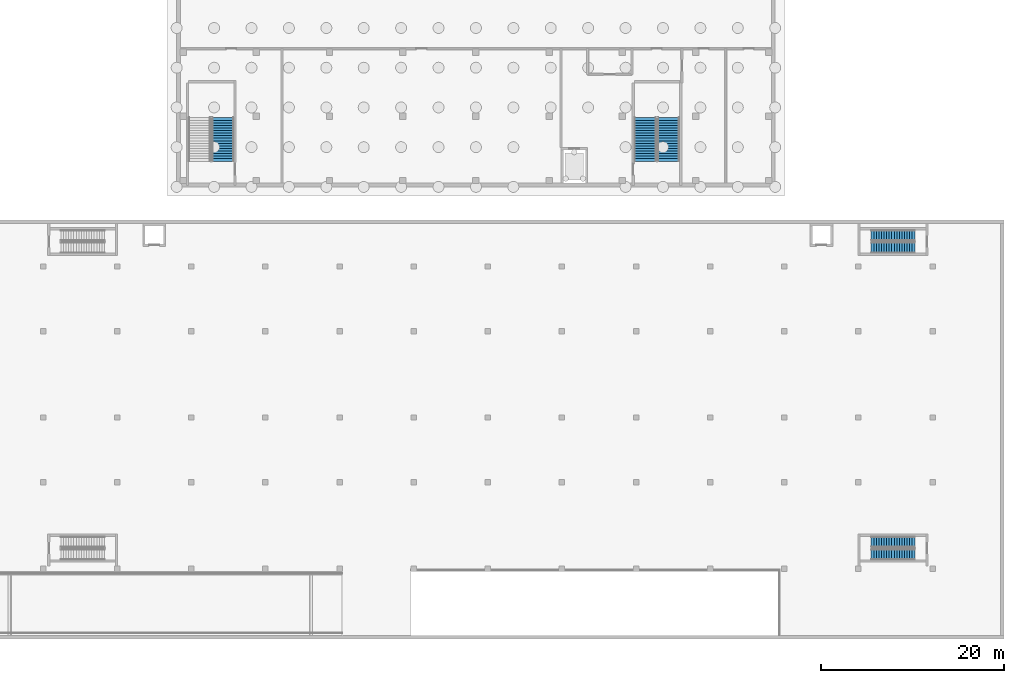
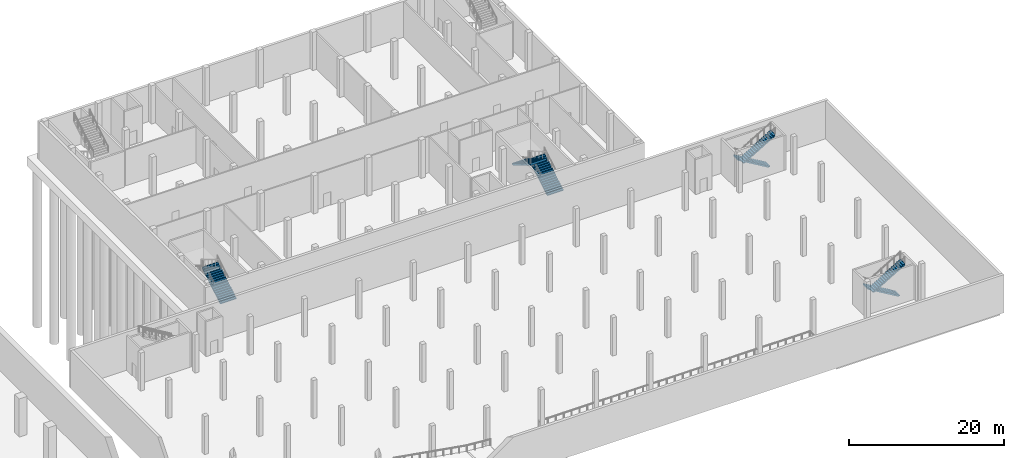
# One storey, part 26 of 45: 7 stair flights, 4 elements without a shape of their own.
"""IFC4 building model written with IfcOpenShell, lengths in metres."""

import ifcopenshell
import ifcopenshell.guid

model = None  # the IFC model being written
_history = None  # IfcOwnerHistory: only IFC2X3 demands one
_inside = {}  # id of a spatial element -> (the spatial element, [elements in it])
_under = {}  # id of a project, library or spatial element -> (it, [spatial elements below it])
_declared = {}  # id of a project -> (the project, [libraries it declares])
_typed = {}  # id of a type object -> (the type object, [elements of that type])
_made_of = {}  # id of a material, layer set ... -> (it, [elements and type objects made of it])


def new_model(schema):
    """Start an empty IFC model of exactly this schema.

    Asked for "IFC4X3", IfcOpenShell would pick the latest addendum, in which some entities
    have other attributes; the version numbers below select the first issue.
    IFC2X3 requires an IfcOwnerHistory on every rooted entity: one is made here for all.
    """
    global model, _history
    if schema == "IFC4X3":
        model = ifcopenshell.file(schema_version=(4, 3, 0, 0))
    else:
        model = ifcopenshell.file(schema=schema)
    _inside.clear()
    _under.clear()
    _declared.clear()
    _typed.clear()
    _made_of.clear()
    _history = None
    if model.schema == "IFC2X3":
        org = make("IfcOrganization", Name="unknown")
        user = make(
            "IfcPersonAndOrganization",
            ThePerson=make("IfcPerson", FamilyName="unknown"),
            TheOrganization=org,
        )
        app = make(
            "IfcApplication",
            ApplicationDeveloper=org,
            Version="unknown",
            ApplicationFullName="unknown",
            ApplicationIdentifier="unknown",
        )
        _history = make(
            "IfcOwnerHistory",
            OwningUser=user,
            OwningApplication=app,
            ChangeAction="ADDED",
            CreationDate=0,
        )
    return model


def make(cls, **values):
    """One entity of the class cls with the attributes given. An attribute that is None is left unset."""
    return model.create_entity(
        cls, **{name: value for name, value in values.items() if value is not None}
    )


def rooted(cls, **values):
    """An entity with a GlobalId (a new one), such as an element, a storey or a relation."""
    return make(cls, GlobalId=ifcopenshell.guid.new(), OwnerHistory=_history, **values)


def si_unit(unit_type, name, prefix=None):
    """IfcSIUnit, for example si_unit("LENGTHUNIT", "METRE", prefix="MILLI")."""
    return make("IfcSIUnit", UnitType=unit_type, Prefix=prefix, Name=name)


def assignment(units):
    """IfcUnitAssignment: the units of a project."""
    return None if units is None else make("IfcUnitAssignment", Units=units)


def point(xyz):
    """IfcCartesianPoint."""
    return None if xyz is None else make("IfcCartesianPoint", Coordinates=xyz)


def direction(xyz):
    """IfcDirection."""
    return None if xyz is None else make("IfcDirection", DirectionRatios=xyz)


def frame(location, z_axis=None, x_axis=None):
    """IfcAxis2Placement3D, a coordinate frame: its origin and axes. An axis left out is left unset."""
    return make(
        "IfcAxis2Placement3D",
        Location=point(location),
        Axis=direction(z_axis),
        RefDirection=direction(x_axis),
    )


def origin():
    """The frame at (0, 0, 0) with its axes left unset."""
    return frame((0.0, 0.0, 0.0))


def place(relative_to, where):
    """IfcLocalPlacement: puts the frame where relative to a parent placement (None: the world)."""
    return make(
        "IfcLocalPlacement", PlacementRelTo=relative_to, RelativePlacement=where
    )


def context(
    kind, dimensions, precision=None, world=None, true_north=None, identifier=None
):
    """IfcGeometricRepresentationContext, for example the 3D "Model" context."""
    return make(
        "IfcGeometricRepresentationContext",
        ContextIdentifier=identifier,
        ContextType=kind,
        CoordinateSpaceDimension=dimensions,
        Precision=precision,
        WorldCoordinateSystem=world,
        TrueNorth=true_north,
    )


def subcontext(parent, identifier, kind, view, scale=None):
    """IfcGeometricRepresentationSubContext, for example "Body" below "Model"."""
    return make(
        "IfcGeometricRepresentationSubContext",
        ContextIdentifier=identifier,
        ContextType=kind,
        ParentContext=parent,
        TargetScale=scale,
        TargetView=view,
    )


def project(units=None, contexts=None):
    """IfcProject with its units and contexts."""
    return rooted(
        "IfcProject",
        Name="project",
        RepresentationContexts=contexts,
        UnitsInContext=assignment(units),
    )


def spatial(cls, under=None, at=None, **own):
    """A site, building, storey or space (cls), placed at a placement, below another one or the project."""
    s = rooted(cls, ObjectPlacement=at, **own)
    if under is not None:
        _under.setdefault(under.id(), (under, []))[1].append(s)
    return s


def polyline(points):
    """IfcPolyline through the points."""
    return make("IfcPolyline", Points=[point(p) for p in points])


def outline(outer, holes=None, kind="AREA"):
    """IfcArbitraryClosedProfileDef: a profile drawn as a closed curve; with holes, ...WithVoids."""
    if holes is None:
        return make("IfcArbitraryClosedProfileDef", ProfileType=kind, OuterCurve=outer)
    return make(
        "IfcArbitraryProfileDefWithVoids",
        ProfileType=kind,
        OuterCurve=outer,
        InnerCurves=holes,
    )


def extrude(swept, where, along, depth):
    """IfcExtrudedAreaSolid: the profile swept, set in the frame where, extruded along a direction by depth."""
    return make(
        "IfcExtrudedAreaSolid",
        SweptArea=swept,
        Position=where,
        ExtrudedDirection=direction(along),
        Depth=depth,
    )


def shape(context_of_items, identifier, shape_type, items):
    """IfcShapeRepresentation: the items that make up one representation, for example the "Body"."""
    return make(
        "IfcShapeRepresentation",
        ContextOfItems=context_of_items,
        RepresentationIdentifier=identifier,
        RepresentationType=shape_type,
        Items=items,
    )


def material(Name=None, Category=None):
    """IfcMaterial."""
    return make("IfcMaterial", Name=Name, Category=Category)


def made_of(thing, what):
    """Note that an element or type object is made of a material, layer set ...; save() writes the relation."""
    if what is not None:
        _made_of.setdefault(what.id(), (what, []))[1].append(thing)
    return thing


def type_object(cls, material=None, **own):
    """A type object (cls), such as IfcWallType, which elements share."""
    return made_of(rooted(cls, **own), material)


def element(
    cls,
    number,
    at=None,
    inside=None,
    cuts=None,
    type_object=None,
    material=None,
    context=None,
    identifier="Body",
    shape_type=None,
    held_by="IfcProductDefinitionShape",
    body=None,
    shapes=None,
    **own,
):
    """One element of the class cls, such as IfcWall. Its Tag is "e" and its number.

    at: its placement. inside: the storey or other place that contains it. cuts: it is an
    opening in that element (IfcRelVoidsElement). A single representation is given by context,
    identifier, shape_type and body (its items); several are given by shapes. held_by: the class
    of the entity that holds the representations. save() writes the other relations.
    """
    e = rooted(cls, Tag="e%d" % number, ObjectPlacement=at, **own)
    if body is not None:
        shapes = [shape(context, identifier, shape_type, body)]
    if shapes is not None:
        e.Representation = make(held_by, Representations=shapes)
    if inside is not None:
        _inside.setdefault(inside.id(), (inside, []))[1].append(e)
    if cuts is not None:
        rooted(
            "IfcRelVoidsElement", RelatingBuildingElement=cuts, RelatedOpeningElement=e
        )
    if type_object is not None:
        _typed.setdefault(type_object.id(), (type_object, []))[1].append(e)
    return made_of(e, material)


def aggregate(whole, parts):
    """IfcRelAggregates: a whole, such as a stair, and the parts it consists of."""
    return rooted("IfcRelAggregates", RelatingObject=whole, RelatedObjects=parts)


def save(model, path):
    """Write the relations noted so far, then the file.

    IfcRelAggregates (storeys below a building ...), IfcRelContainedInSpatialStructure (elements
    in a storey), IfcRelDefinesByType, IfcRelAssociatesMaterial and IfcRelDeclares: one each for
    every whole, place, type object, material and project.
    """
    for whole, parts in _under.values():
        aggregate(whole, parts)
    for where, things in _inside.values():
        rooted(
            "IfcRelContainedInSpatialStructure",
            RelatedElements=things,
            RelatingStructure=where,
        )
    for kind, things in _typed.values():
        rooted("IfcRelDefinesByType", RelatedObjects=things, RelatingType=kind)
    for what, things in _made_of.values():
        rooted("IfcRelAssociatesMaterial", RelatedObjects=things, RelatingMaterial=what)
    for by, libraries in _declared.values():
        rooted("IfcRelDeclares", RelatingContext=by, RelatedDefinitions=libraries)
    model.write(path)


model = new_model("IFC4")

# Units and contexts
model_context = context("Model", 3, precision=1e-05, world=origin(), true_north=direction((0.0, 1.0)))
body_context = subcontext(model_context, "Body", "Model", "MODEL_VIEW")
ifc_project = project(units=[si_unit("LENGTHUNIT", "METRE"), si_unit("AREAUNIT", "SQUARE_METRE"), si_unit("VOLUMEUNIT", "CUBIC_METRE"), si_unit("PLANEANGLEUNIT", "RADIAN"), si_unit("MASSUNIT", "GRAM", prefix="KILO")], contexts=[model_context])

# Site, building, storey
site_placement = place(None, origin())
site = spatial("IfcSite", under=ifc_project, at=site_placement, CompositionType="ELEMENT")
building_placement = place(site_placement, origin())
building = spatial("IfcBuilding", under=site, at=building_placement, Name="Tamorin Gate", CompositionType="ELEMENT")
storey_placement = place(building_placement, frame((0.0, 0.0, -6.0)))
storey = spatial("IfcBuildingStorey", under=building, at=storey_placement, Name="B1", CompositionType="ELEMENT", Elevation=-6.0)

# Stair, stair flights
ifc_material = material(Name="Concrete C40/50", Category="concrete")
stair_type_1 = type_object("IfcStairType", Name="Exit stair 1200 C40/50", PredefinedType="HALF_TURN_STAIR", material=ifc_material)
stair_1_placement = place(storey_placement, origin())
stair_1 = element("IfcStair", 1, at=stair_1_placement, inside=storey, type_object=stair_type_1, Name="B1 SB8", PredefinedType="HALF_TURN_STAIR")
stair_flight_type_1 = type_object("IfcStairFlightType", Name="Exit stair flight 1200 C40/50", PredefinedType="STRAIGHT", material=ifc_material)
stair_flight_1_placement = place(storey_placement, frame((225.64990234375, 16.199951171875, 0.0), z_axis=(0.0, 0.0, 1.0), x_axis=(-1.0, 0.0, 0.0)))
stair_flight_1 = element("IfcStairFlight", 2, at=stair_flight_1_placement, type_object=stair_flight_type_1, Name="SB8 flight 1", NumberOfRisers=18, NumberOfTreads=17, PredefinedType="STRAIGHT", RiserHeight=0.166666667, TreadLength=0.28, context=body_context, shape_type="SweptSolid", body=[
    extrude(outline(polyline([(-0.00048828125, 0.0), (-0.00048828125, 0.166748046875), (0.280029296875, 0.166748046875), (0.280029296875, 0.333251953125), (0.56005859375, 0.333251953125), (0.56005859375, 0.5), (0.840087890625, 0.5), (0.840087890625, 0.666748046875), (1.1201171875, 0.666748046875), (1.1201171875, 0.833251953125), (1.39990234375, 0.833251953125), (1.39990234375, 1.0), (1.679931640625, 1.0), (1.679931640625, 1.166748046875), (1.9599609375, 1.166748046875), (1.9599609375, 1.333251953125), (2.239990234375, 1.333251953125), (2.239990234375, 1.5), (2.52001953125, 1.5), (2.52001953125, 1.666748046875), (2.800048828125, 1.666748046875), (2.800048828125, 1.833251953125), (3.080078125, 1.833251953125), (3.080078125, 2.0), (3.360107421875, 2.0), (3.360107421875, 2.166748046875), (3.639892578125, 2.166748046875), (3.639892578125, 2.333251953125), (3.919921875, 2.333251953125), (3.919921875, 2.5), (4.199951171875, 2.5), (4.199951171875, 2.666748046875), (4.47998046875, 2.666748046875), (4.47998046875, 2.833251953125), (4.760009765625, 2.833251953125), (4.760009765625, 3.0), (4.760498046875, 3.0), (4.760498046875, 2.658935546875), (4.760009765625, 2.658935546875), (0.29296875, 0.0), (-0.00048828125, 0.0)])), frame((0.0, 0.60009765625, 0.0), z_axis=(0.0, -1.0, 0.0), x_axis=(1.0, 0.0, 0.0)), (0.0, 0.0, 1.0), 1.199951171875),
])
stair_flight_2_placement = place(storey_placement, frame((220.889892578125, 14.85009765625, 3.0), z_axis=(0.0, 0.0, 1.0), x_axis=(1.0, 0.0, 0.0)))
stair_flight_2 = element("IfcStairFlight", 3, at=stair_flight_2_placement, type_object=stair_flight_type_1, Name="SB8 flight 2", NumberOfRisers=18, NumberOfTreads=17, PredefinedType="STRAIGHT", RiserHeight=0.166666667, TreadLength=0.28, context=body_context, shape_type="SweptSolid", body=[
    extrude(outline(polyline([(-0.00048828125, 0.0), (-0.00048828125, 0.166748046875), (0.280029296875, 0.166748046875), (0.280029296875, 0.333251953125), (0.56005859375, 0.333251953125), (0.56005859375, 0.5), (0.840087890625, 0.5), (0.840087890625, 0.666748046875), (1.1201171875, 0.666748046875), (1.1201171875, 0.833251953125), (1.39990234375, 0.833251953125), (1.39990234375, 1.0), (1.679931640625, 1.0), (1.679931640625, 1.166748046875), (1.9599609375, 1.166748046875), (1.9599609375, 1.333251953125), (2.239990234375, 1.333251953125), (2.239990234375, 1.5), (2.52001953125, 1.5), (2.52001953125, 1.666748046875), (2.800048828125, 1.666748046875), (2.800048828125, 1.833251953125), (3.080078125, 1.833251953125), (3.080078125, 2.0), (3.360107421875, 2.0), (3.360107421875, 2.166748046875), (3.639892578125, 2.166748046875), (3.639892578125, 2.333251953125), (3.919921875, 2.333251953125), (3.919921875, 2.5), (4.199951171875, 2.5), (4.199951171875, 2.666748046875), (4.47998046875, 2.666748046875), (4.47998046875, 2.833251953125), (4.760009765625, 2.833251953125), (4.760009765625, 3.0), (4.760498046875, 3.0), (4.760498046875, 2.658935546875), (4.760009765625, 2.658935546875), (0.29296875, 0.0), (-0.00048828125, 0.0)])), frame((0.0, 0.60009765625, 0.0), z_axis=(0.0, -1.0, 0.0), x_axis=(1.0, 0.0, 0.0)), (0.0, 0.0, 1.0), 1.199951171875),
])
aggregate(stair_1, [stair_flight_1, stair_flight_2])

stair_2_placement = place(storey_placement, origin())
stair_2 = element("IfcStair", 4, at=stair_2_placement, inside=storey, type_object=stair_type_1, Name="B1 SB9", PredefinedType="HALF_TURN_STAIR")
stair_flight_3_placement = place(storey_placement, frame((225.64990234375, 49.699951171875, 0.0), z_axis=(0.0, 0.0, 1.0), x_axis=(-1.0, 0.0, 0.0)))
stair_flight_3 = element("IfcStairFlight", 5, at=stair_flight_3_placement, type_object=stair_flight_type_1, Name="SB9 flight 1", NumberOfRisers=18, NumberOfTreads=17, PredefinedType="STRAIGHT", RiserHeight=0.166666667, TreadLength=0.28, context=body_context, shape_type="SweptSolid", body=[
    extrude(outline(polyline([(-0.00048828125, 0.0), (-0.00048828125, 0.166748046875), (0.280029296875, 0.166748046875), (0.280029296875, 0.333251953125), (0.56005859375, 0.333251953125), (0.56005859375, 0.5), (0.840087890625, 0.5), (0.840087890625, 0.666748046875), (1.1201171875, 0.666748046875), (1.1201171875, 0.833251953125), (1.39990234375, 0.833251953125), (1.39990234375, 1.0), (1.679931640625, 1.0), (1.679931640625, 1.166748046875), (1.9599609375, 1.166748046875), (1.9599609375, 1.333251953125), (2.239990234375, 1.333251953125), (2.239990234375, 1.5), (2.52001953125, 1.5), (2.52001953125, 1.666748046875), (2.800048828125, 1.666748046875), (2.800048828125, 1.833251953125), (3.080078125, 1.833251953125), (3.080078125, 2.0), (3.360107421875, 2.0), (3.360107421875, 2.166748046875), (3.639892578125, 2.166748046875), (3.639892578125, 2.333251953125), (3.919921875, 2.333251953125), (3.919921875, 2.5), (4.199951171875, 2.5), (4.199951171875, 2.666748046875), (4.47998046875, 2.666748046875), (4.47998046875, 2.833251953125), (4.760009765625, 2.833251953125), (4.760009765625, 3.0), (4.760498046875, 3.0), (4.760498046875, 2.658935546875), (4.760009765625, 2.658935546875), (0.29296875, 0.0), (-0.00048828125, 0.0)])), frame((0.0, 0.60009765625, 0.0), z_axis=(0.0, -1.0, 0.0), x_axis=(1.0, 0.0, 0.0)), (0.0, 0.0, 1.0), 1.199951171875),
])
stair_flight_4_placement = place(storey_placement, frame((220.889892578125, 48.35009765625, 3.0), z_axis=(0.0, 0.0, 1.0), x_axis=(1.0, 0.0, 0.0)))
stair_flight_4 = element("IfcStairFlight", 6, at=stair_flight_4_placement, type_object=stair_flight_type_1, Name="SB9 flight 2", NumberOfRisers=18, NumberOfTreads=17, PredefinedType="STRAIGHT", RiserHeight=0.166666667, TreadLength=0.28, context=body_context, shape_type="SweptSolid", body=[
    extrude(outline(polyline([(-0.00048828125, 0.0), (-0.00048828125, 0.166748046875), (0.280029296875, 0.166748046875), (0.280029296875, 0.333251953125), (0.56005859375, 0.333251953125), (0.56005859375, 0.5), (0.840087890625, 0.5), (0.840087890625, 0.666748046875), (1.1201171875, 0.666748046875), (1.1201171875, 0.833251953125), (1.39990234375, 0.833251953125), (1.39990234375, 1.0), (1.679931640625, 1.0), (1.679931640625, 1.166748046875), (1.9599609375, 1.166748046875), (1.9599609375, 1.333251953125), (2.239990234375, 1.333251953125), (2.239990234375, 1.5), (2.52001953125, 1.5), (2.52001953125, 1.666748046875), (2.800048828125, 1.666748046875), (2.800048828125, 1.833251953125), (3.080078125, 1.833251953125), (3.080078125, 2.0), (3.360107421875, 2.0), (3.360107421875, 2.166748046875), (3.639892578125, 2.166748046875), (3.639892578125, 2.333251953125), (3.919921875, 2.333251953125), (3.919921875, 2.5), (4.199951171875, 2.5), (4.199951171875, 2.666748046875), (4.47998046875, 2.666748046875), (4.47998046875, 2.833251953125), (4.760009765625, 2.833251953125), (4.760009765625, 3.0), (4.760498046875, 3.0), (4.760498046875, 2.658935546875), (4.760009765625, 2.658935546875), (0.29296875, 0.0), (-0.00048828125, 0.0)])), frame((0.0, 0.60009765625, 0.0), z_axis=(0.0, -1.0, 0.0), x_axis=(1.0, 0.0, 0.0)), (0.0, 0.0, 1.0), 1.199951171875),
])
aggregate(stair_2, [stair_flight_3, stair_flight_4])

stair_type_2 = type_object("IfcStairType", Name="Museum exit stair 2400 C40/50", PredefinedType="HALF_TURN_STAIR", material=ifc_material)
stair_3_placement = place(storey_placement, origin())
stair_3 = element("IfcStair", 7, at=stair_3_placement, inside=storey, type_object=stair_type_2, Name="B1 PS7", PredefinedType="HALF_TURN_STAIR")
stair_flight_type_2 = type_object("IfcStairFlightType", Name="Museum exit stair flight 2400 C40/50", PredefinedType="STRAIGHT", material=ifc_material)
stair_flight_5_placement = place(storey_placement, frame((198.75, 57.800048828125, 0.0), z_axis=(0.0, 0.0, 1.0), x_axis=(0.0, 1.0, 0.0)))
stair_flight_5 = element("IfcStairFlight", 8, at=stair_flight_5_placement, type_object=stair_flight_type_2, Name="PS7 flight 1", NumberOfRisers=18, NumberOfTreads=17, PredefinedType="STRAIGHT", RiserHeight=0.166666667, TreadLength=0.28, context=body_context, shape_type="SweptSolid", body=[
    extrude(outline(polyline([(-0.00048828125, 0.0), (-0.00048828125, 0.001708984375), (-0.00048828125, 0.00341796875), (-0.00048828125, 0.0048828125), (-0.00048828125, 0.006591796875), (-0.00048828125, 0.00830078125), (-0.00048828125, 0.010009765625), (-0.00048828125, 0.011474609375), (-0.00048828125, 0.01318359375), (-0.00048828125, 0.014892578125), (-0.00048828125, 0.0166015625), (-0.00048828125, 0.01806640625), (-0.00048828125, 0.019775390625), (-0.00048828125, 0.021484375), (-0.00048828125, 0.023193359375), (-0.00048828125, 0.024658203125), (-0.00048828125, 0.0263671875), (-0.00048828125, 0.028076171875), (-0.00048828125, 0.02978515625), (-0.00048828125, 0.03125), (-0.00048828125, 0.032958984375), (-0.00048828125, 0.03466796875), (-0.00048828125, 0.036376953125), (-0.00048828125, 0.037841796875), (-0.00048828125, 0.03955078125), (-0.00048828125, 0.041259765625), (-0.00048828125, 0.04296875), (-0.00048828125, 0.04443359375), (-0.00048828125, 0.046142578125), (-0.00048828125, 0.0478515625), (-0.00048828125, 0.049560546875), (-0.00048828125, 0.05126953125), (-0.00048828125, 0.052734375), (-0.00048828125, 0.054443359375), (-0.00048828125, 0.05615234375), (-0.00048828125, 0.057861328125), (-0.00048828125, 0.059326171875), (-0.00048828125, 0.06103515625), (-0.00048828125, 0.062744140625), (-0.00048828125, 0.064453125), (-0.00048828125, 0.06591796875), (-0.00048828125, 0.067626953125), (-0.00048828125, 0.0693359375), (-0.00048828125, 0.071044921875), (-0.00048828125, 0.072509765625), (-0.00048828125, 0.07421875), (-0.00048828125, 0.075927734375), (-0.00048828125, 0.07763671875), (-0.00048828125, 0.0791015625), (-0.00048828125, 0.080810546875), (-0.00048828125, 0.08251953125), (-0.00048828125, 0.084228515625), (-0.00048828125, 0.085693359375), (-0.00048828125, 0.08740234375), (-0.00048828125, 0.089111328125), (-0.00048828125, 0.0908203125), (-0.00048828125, 0.092529296875), (-0.00048828125, 0.093994140625), (-0.00048828125, 0.095703125), (-0.00048828125, 0.097412109375), (-0.00048828125, 0.09912109375), (-0.00048828125, 0.1005859375), (-0.00048828125, 0.102294921875), (-0.00048828125, 0.10400390625), (-0.00048828125, 0.105712890625), (-0.00048828125, 0.107177734375), (-0.00048828125, 0.10888671875), (-0.00048828125, 0.110595703125), (-0.00048828125, 0.1123046875), (-0.00048828125, 0.11376953125), (-0.00048828125, 0.115478515625), (-0.00048828125, 0.1171875), (-0.00048828125, 0.118896484375), (-0.00048828125, 0.120361328125), (-0.00048828125, 0.1220703125), (-0.00048828125, 0.123779296875), (-0.00048828125, 0.12548828125), (-0.00048828125, 0.126953125), (-0.00048828125, 0.128662109375), (-0.00048828125, 0.13037109375), (-0.00048828125, 0.132080078125), (-0.00048828125, 0.133544921875), (-0.00048828125, 0.13525390625), (-0.00048828125, 0.136962890625), (-0.00048828125, 0.138671875), (-0.00048828125, 0.140380859375), (-0.00048828125, 0.141845703125), (-0.00048828125, 0.1435546875), (-0.00048828125, 0.145263671875), (-0.00048828125, 0.14697265625), (-0.00048828125, 0.1484375), (-0.00048828125, 0.150146484375), (-0.00048828125, 0.15185546875), (-0.00048828125, 0.153564453125), (-0.00048828125, 0.155029296875), (-0.00048828125, 0.15673828125), (-0.00048828125, 0.158447265625), (-0.00048828125, 0.16015625), (-0.00048828125, 0.16162109375), (-0.00048828125, 0.163330078125), (-0.00048828125, 0.1650390625), (-0.00048828125, 0.166748046875), (0.280029296875, 0.166748046875), (0.280029296875, 0.333251953125), (0.56005859375, 0.333251953125), (0.56005859375, 0.5), (0.840087890625, 0.5), (0.840087890625, 0.666748046875), (1.1201171875, 0.666748046875), (1.1201171875, 0.833251953125), (1.39990234375, 0.833251953125), (1.39990234375, 1.0), (1.679931640625, 1.0), (1.679931640625, 1.166748046875), (1.9599609375, 1.166748046875), (1.9599609375, 1.333251953125), (2.239990234375, 1.333251953125), (2.239990234375, 1.5), (2.52001953125, 1.5), (2.52001953125, 1.666748046875), (2.800048828125, 1.666748046875), (2.800048828125, 1.833251953125), (3.080078125, 1.833251953125), (3.080078125, 2.0), (3.360107421875, 2.0), (3.360107421875, 2.166748046875), (3.639892578125, 2.166748046875), (3.639892578125, 2.333251953125), (3.919921875, 2.333251953125), (3.919921875, 2.5), (4.199951171875, 2.5), (4.199951171875, 2.666748046875), (4.47998046875, 2.666748046875), (4.47998046875, 2.833251953125), (4.760009765625, 2.833251953125), (4.760009765625, 3.0), (4.760498046875, 3.0), (4.760498046875, 2.99658203125), (4.760498046875, 2.9931640625), (4.760498046875, 2.98974609375), (4.760498046875, 2.986572265625), (4.760498046875, 2.983154296875), (4.760498046875, 2.979736328125), (4.760498046875, 2.976318359375), (4.760498046875, 2.972900390625), (4.760498046875, 2.969482421875), (4.760498046875, 2.96630859375), (4.760498046875, 2.962890625), (4.760498046875, 2.95947265625), (4.760498046875, 2.9560546875), (4.760498046875, 2.95263671875), (4.760498046875, 2.94921875), (4.760498046875, 2.946044921875), (4.760498046875, 2.942626953125), (4.760498046875, 2.939208984375), (4.760498046875, 2.935791015625), (4.760498046875, 2.932373046875), (4.760498046875, 2.928955078125), (4.760498046875, 2.92578125), (4.760498046875, 2.92236328125), (4.760498046875, 2.9189453125), (4.760498046875, 2.91552734375), (4.760498046875, 2.912109375), (4.760498046875, 2.90869140625), (4.760498046875, 2.905517578125), (4.760498046875, 2.902099609375), (4.760498046875, 2.898681640625), (4.760498046875, 2.895263671875), (4.760498046875, 2.891845703125), (4.760498046875, 2.888427734375), (4.760498046875, 2.88525390625), (4.760498046875, 2.8818359375), (4.760498046875, 2.87841796875), (4.760498046875, 2.875), (4.760498046875, 2.87158203125), (4.760498046875, 2.8681640625), (4.760498046875, 2.864990234375), (4.760498046875, 2.861572265625), (4.760498046875, 2.858154296875), (4.760498046875, 2.854736328125), (4.760498046875, 2.851318359375), (4.760498046875, 2.847900390625), (4.760498046875, 2.8447265625), (4.760498046875, 2.84130859375), (4.760498046875, 2.837890625), (4.760498046875, 2.83447265625), (4.760498046875, 2.8310546875), (4.760498046875, 2.82763671875), (4.760498046875, 2.824462890625), (4.760498046875, 2.821044921875), (4.760498046875, 2.817626953125), (4.760498046875, 2.814208984375), (4.760498046875, 2.810791015625), (4.760498046875, 2.807373046875), (4.760498046875, 2.80419921875), (4.760498046875, 2.80078125), (4.760498046875, 2.79736328125), (4.760498046875, 2.7939453125), (4.760498046875, 2.79052734375), (4.760498046875, 2.787109375), (4.760498046875, 2.783935546875), (4.760498046875, 2.780517578125), (4.760498046875, 2.777099609375), (4.760498046875, 2.773681640625), (4.760498046875, 2.770263671875), (4.760498046875, 2.766845703125), (4.760498046875, 2.763671875), (4.760498046875, 2.76025390625), (4.760498046875, 2.7568359375), (4.760498046875, 2.75341796875), (4.760498046875, 2.75), (4.760498046875, 2.74658203125), (4.760498046875, 2.743408203125), (4.760498046875, 2.739990234375), (4.760498046875, 2.736572265625), (4.760498046875, 2.733154296875), (4.760498046875, 2.729736328125), (4.760498046875, 2.726318359375), (4.760498046875, 2.72314453125), (4.760498046875, 2.7197265625), (4.760498046875, 2.71630859375), (4.760498046875, 2.712890625), (4.760498046875, 2.70947265625), (4.760498046875, 2.7060546875), (4.760498046875, 2.702880859375), (4.760498046875, 2.699462890625), (4.760498046875, 2.696044921875), (4.760498046875, 2.692626953125), (4.760498046875, 2.689208984375), (4.760498046875, 2.685791015625), (4.760498046875, 2.6826171875), (4.760498046875, 2.67919921875), (4.760498046875, 2.67578125), (4.760498046875, 2.67236328125), (4.760498046875, 2.6689453125), (4.760498046875, 2.66552734375), (4.760498046875, 2.662353515625), (4.760498046875, 2.658935546875), (4.760009765625, 2.658935546875), (0.29296875, 0.0), (-0.00048828125, 0.0)])), frame((0.0, 1.199951171875, 0.0), z_axis=(0.0, -1.0, 0.0), x_axis=(1.0, 0.0, 0.0)), (0.0, 0.0, 1.0), 2.39990234375),
])
stair_flight_6_placement = place(storey_placement, frame((196.199951171875, 62.56005859375, 3.0), z_axis=(0.0, 0.0, 1.0), x_axis=(0.0, -1.0, 0.0)))
stair_flight_6 = element("IfcStairFlight", 9, at=stair_flight_6_placement, type_object=stair_flight_type_2, Name="PS7 flight 2", NumberOfRisers=18, NumberOfTreads=17, PredefinedType="STRAIGHT", RiserHeight=0.166666667, TreadLength=0.28, context=body_context, shape_type="SweptSolid", body=[
    extrude(outline(polyline([(-0.00048828125, 0.0), (-0.00048828125, 0.001708984375), (-0.00048828125, 0.00341796875), (-0.00048828125, 0.0048828125), (-0.00048828125, 0.006591796875), (-0.00048828125, 0.00830078125), (-0.00048828125, 0.010009765625), (-0.00048828125, 0.011474609375), (-0.00048828125, 0.01318359375), (-0.00048828125, 0.014892578125), (-0.00048828125, 0.0166015625), (-0.00048828125, 0.01806640625), (-0.00048828125, 0.019775390625), (-0.00048828125, 0.021484375), (-0.00048828125, 0.023193359375), (-0.00048828125, 0.024658203125), (-0.00048828125, 0.0263671875), (-0.00048828125, 0.028076171875), (-0.00048828125, 0.02978515625), (-0.00048828125, 0.03125), (-0.00048828125, 0.032958984375), (-0.00048828125, 0.03466796875), (-0.00048828125, 0.036376953125), (-0.00048828125, 0.037841796875), (-0.00048828125, 0.03955078125), (-0.00048828125, 0.041259765625), (-0.00048828125, 0.04296875), (-0.00048828125, 0.04443359375), (-0.00048828125, 0.046142578125), (-0.00048828125, 0.0478515625), (-0.00048828125, 0.049560546875), (-0.00048828125, 0.05126953125), (-0.00048828125, 0.052734375), (-0.00048828125, 0.054443359375), (-0.00048828125, 0.05615234375), (-0.00048828125, 0.057861328125), (-0.00048828125, 0.059326171875), (-0.00048828125, 0.06103515625), (-0.00048828125, 0.062744140625), (-0.00048828125, 0.064453125), (-0.00048828125, 0.06591796875), (-0.00048828125, 0.067626953125), (-0.00048828125, 0.0693359375), (-0.00048828125, 0.071044921875), (-0.00048828125, 0.072509765625), (-0.00048828125, 0.07421875), (-0.00048828125, 0.075927734375), (-0.00048828125, 0.07763671875), (-0.00048828125, 0.0791015625), (-0.00048828125, 0.080810546875), (-0.00048828125, 0.08251953125), (-0.00048828125, 0.084228515625), (-0.00048828125, 0.085693359375), (-0.00048828125, 0.08740234375), (-0.00048828125, 0.089111328125), (-0.00048828125, 0.0908203125), (-0.00048828125, 0.092529296875), (-0.00048828125, 0.093994140625), (-0.00048828125, 0.095703125), (-0.00048828125, 0.097412109375), (-0.00048828125, 0.09912109375), (-0.00048828125, 0.1005859375), (-0.00048828125, 0.102294921875), (-0.00048828125, 0.10400390625), (-0.00048828125, 0.105712890625), (-0.00048828125, 0.107177734375), (-0.00048828125, 0.10888671875), (-0.00048828125, 0.110595703125), (-0.00048828125, 0.1123046875), (-0.00048828125, 0.11376953125), (-0.00048828125, 0.115478515625), (-0.00048828125, 0.1171875), (-0.00048828125, 0.118896484375), (-0.00048828125, 0.120361328125), (-0.00048828125, 0.1220703125), (-0.00048828125, 0.123779296875), (-0.00048828125, 0.12548828125), (-0.00048828125, 0.126953125), (-0.00048828125, 0.128662109375), (-0.00048828125, 0.13037109375), (-0.00048828125, 0.132080078125), (-0.00048828125, 0.133544921875), (-0.00048828125, 0.13525390625), (-0.00048828125, 0.136962890625), (-0.00048828125, 0.138671875), (-0.00048828125, 0.140380859375), (-0.00048828125, 0.141845703125), (-0.00048828125, 0.1435546875), (-0.00048828125, 0.145263671875), (-0.00048828125, 0.14697265625), (-0.00048828125, 0.1484375), (-0.00048828125, 0.150146484375), (-0.00048828125, 0.15185546875), (-0.00048828125, 0.153564453125), (-0.00048828125, 0.155029296875), (-0.00048828125, 0.15673828125), (-0.00048828125, 0.158447265625), (-0.00048828125, 0.16015625), (-0.00048828125, 0.16162109375), (-0.00048828125, 0.163330078125), (-0.00048828125, 0.1650390625), (-0.00048828125, 0.166748046875), (0.280029296875, 0.166748046875), (0.280029296875, 0.333251953125), (0.56005859375, 0.333251953125), (0.56005859375, 0.5), (0.840087890625, 0.5), (0.840087890625, 0.666748046875), (1.1201171875, 0.666748046875), (1.1201171875, 0.833251953125), (1.39990234375, 0.833251953125), (1.39990234375, 1.0), (1.679931640625, 1.0), (1.679931640625, 1.166748046875), (1.9599609375, 1.166748046875), (1.9599609375, 1.333251953125), (2.239990234375, 1.333251953125), (2.239990234375, 1.5), (2.52001953125, 1.5), (2.52001953125, 1.666748046875), (2.800048828125, 1.666748046875), (2.800048828125, 1.833251953125), (3.080078125, 1.833251953125), (3.080078125, 2.0), (3.360107421875, 2.0), (3.360107421875, 2.166748046875), (3.639892578125, 2.166748046875), (3.639892578125, 2.333251953125), (3.919921875, 2.333251953125), (3.919921875, 2.5), (4.199951171875, 2.5), (4.199951171875, 2.666748046875), (4.47998046875, 2.666748046875), (4.47998046875, 2.833251953125), (4.760009765625, 2.833251953125), (4.760009765625, 3.0), (4.760498046875, 3.0), (4.760498046875, 2.99658203125), (4.760498046875, 2.9931640625), (4.760498046875, 2.98974609375), (4.760498046875, 2.986572265625), (4.760498046875, 2.983154296875), (4.760498046875, 2.979736328125), (4.760498046875, 2.976318359375), (4.760498046875, 2.972900390625), (4.760498046875, 2.969482421875), (4.760498046875, 2.96630859375), (4.760498046875, 2.962890625), (4.760498046875, 2.95947265625), (4.760498046875, 2.9560546875), (4.760498046875, 2.95263671875), (4.760498046875, 2.94921875), (4.760498046875, 2.946044921875), (4.760498046875, 2.942626953125), (4.760498046875, 2.939208984375), (4.760498046875, 2.935791015625), (4.760498046875, 2.932373046875), (4.760498046875, 2.928955078125), (4.760498046875, 2.92578125), (4.760498046875, 2.92236328125), (4.760498046875, 2.9189453125), (4.760498046875, 2.91552734375), (4.760498046875, 2.912109375), (4.760498046875, 2.90869140625), (4.760498046875, 2.905517578125), (4.760498046875, 2.902099609375), (4.760498046875, 2.898681640625), (4.760498046875, 2.895263671875), (4.760498046875, 2.891845703125), (4.760498046875, 2.888427734375), (4.760498046875, 2.88525390625), (4.760498046875, 2.8818359375), (4.760498046875, 2.87841796875), (4.760498046875, 2.875), (4.760498046875, 2.87158203125), (4.760498046875, 2.8681640625), (4.760498046875, 2.864990234375), (4.760498046875, 2.861572265625), (4.760498046875, 2.858154296875), (4.760498046875, 2.854736328125), (4.760498046875, 2.851318359375), (4.760498046875, 2.847900390625), (4.760498046875, 2.8447265625), (4.760498046875, 2.84130859375), (4.760498046875, 2.837890625), (4.760498046875, 2.83447265625), (4.760498046875, 2.8310546875), (4.760498046875, 2.82763671875), (4.760498046875, 2.824462890625), (4.760498046875, 2.821044921875), (4.760498046875, 2.817626953125), (4.760498046875, 2.814208984375), (4.760498046875, 2.810791015625), (4.760498046875, 2.807373046875), (4.760498046875, 2.80419921875), (4.760498046875, 2.80078125), (4.760498046875, 2.79736328125), (4.760498046875, 2.7939453125), (4.760498046875, 2.79052734375), (4.760498046875, 2.787109375), (4.760498046875, 2.783935546875), (4.760498046875, 2.780517578125), (4.760498046875, 2.777099609375), (4.760498046875, 2.773681640625), (4.760498046875, 2.770263671875), (4.760498046875, 2.766845703125), (4.760498046875, 2.763671875), (4.760498046875, 2.76025390625), (4.760498046875, 2.7568359375), (4.760498046875, 2.75341796875), (4.760498046875, 2.75), (4.760498046875, 2.74658203125), (4.760498046875, 2.743408203125), (4.760498046875, 2.739990234375), (4.760498046875, 2.736572265625), (4.760498046875, 2.733154296875), (4.760498046875, 2.729736328125), (4.760498046875, 2.726318359375), (4.760498046875, 2.72314453125), (4.760498046875, 2.7197265625), (4.760498046875, 2.71630859375), (4.760498046875, 2.712890625), (4.760498046875, 2.70947265625), (4.760498046875, 2.7060546875), (4.760498046875, 2.702880859375), (4.760498046875, 2.699462890625), (4.760498046875, 2.696044921875), (4.760498046875, 2.692626953125), (4.760498046875, 2.689208984375), (4.760498046875, 2.685791015625), (4.760498046875, 2.6826171875), (4.760498046875, 2.67919921875), (4.760498046875, 2.67578125), (4.760498046875, 2.67236328125), (4.760498046875, 2.6689453125), (4.760498046875, 2.66552734375), (4.760498046875, 2.662353515625), (4.760498046875, 2.658935546875), (4.760009765625, 2.658935546875), (0.29296875, 0.0), (-0.00048828125, 0.0)])), frame((0.0, 1.199951171875, 0.0), z_axis=(0.0, -1.0, 0.0), x_axis=(1.0, 0.0, 0.0)), (0.0, 0.0, 1.0), 2.39990234375),
])
aggregate(stair_3, [stair_flight_5, stair_flight_6])

# Stair, stair flight
stair_4_placement = place(storey_placement, origin())
stair_4 = element("IfcStair", 10, at=stair_4_placement, inside=storey, type_object=stair_type_2, Name="B1 PS8", PredefinedType="HALF_TURN_STAIR")
stair_flight_7_placement = place(storey_placement, frame((150.050048828125, 57.800048828125, 0.0), z_axis=(0.0, 0.0, 1.0), x_axis=(0.0, 1.0, 0.0)))
stair_flight_7 = element("IfcStairFlight", 11, at=stair_flight_7_placement, type_object=stair_flight_type_2, Name="PS8 flight 1", NumberOfRisers=18, NumberOfTreads=17, PredefinedType="STRAIGHT", RiserHeight=0.166666667, TreadLength=0.28, context=body_context, shape_type="SweptSolid", body=[
    extrude(outline(polyline([(-0.00048828125, 0.0), (-0.00048828125, 0.001708984375), (-0.00048828125, 0.00341796875), (-0.00048828125, 0.0048828125), (-0.00048828125, 0.006591796875), (-0.00048828125, 0.00830078125), (-0.00048828125, 0.010009765625), (-0.00048828125, 0.011474609375), (-0.00048828125, 0.01318359375), (-0.00048828125, 0.014892578125), (-0.00048828125, 0.0166015625), (-0.00048828125, 0.01806640625), (-0.00048828125, 0.019775390625), (-0.00048828125, 0.021484375), (-0.00048828125, 0.023193359375), (-0.00048828125, 0.024658203125), (-0.00048828125, 0.0263671875), (-0.00048828125, 0.028076171875), (-0.00048828125, 0.02978515625), (-0.00048828125, 0.03125), (-0.00048828125, 0.032958984375), (-0.00048828125, 0.03466796875), (-0.00048828125, 0.036376953125), (-0.00048828125, 0.037841796875), (-0.00048828125, 0.03955078125), (-0.00048828125, 0.041259765625), (-0.00048828125, 0.04296875), (-0.00048828125, 0.04443359375), (-0.00048828125, 0.046142578125), (-0.00048828125, 0.0478515625), (-0.00048828125, 0.049560546875), (-0.00048828125, 0.05126953125), (-0.00048828125, 0.052734375), (-0.00048828125, 0.054443359375), (-0.00048828125, 0.05615234375), (-0.00048828125, 0.057861328125), (-0.00048828125, 0.059326171875), (-0.00048828125, 0.06103515625), (-0.00048828125, 0.062744140625), (-0.00048828125, 0.064453125), (-0.00048828125, 0.06591796875), (-0.00048828125, 0.067626953125), (-0.00048828125, 0.0693359375), (-0.00048828125, 0.071044921875), (-0.00048828125, 0.072509765625), (-0.00048828125, 0.07421875), (-0.00048828125, 0.075927734375), (-0.00048828125, 0.07763671875), (-0.00048828125, 0.0791015625), (-0.00048828125, 0.080810546875), (-0.00048828125, 0.08251953125), (-0.00048828125, 0.084228515625), (-0.00048828125, 0.085693359375), (-0.00048828125, 0.08740234375), (-0.00048828125, 0.089111328125), (-0.00048828125, 0.0908203125), (-0.00048828125, 0.092529296875), (-0.00048828125, 0.093994140625), (-0.00048828125, 0.095703125), (-0.00048828125, 0.097412109375), (-0.00048828125, 0.09912109375), (-0.00048828125, 0.1005859375), (-0.00048828125, 0.102294921875), (-0.00048828125, 0.10400390625), (-0.00048828125, 0.105712890625), (-0.00048828125, 0.107177734375), (-0.00048828125, 0.10888671875), (-0.00048828125, 0.110595703125), (-0.00048828125, 0.1123046875), (-0.00048828125, 0.11376953125), (-0.00048828125, 0.115478515625), (-0.00048828125, 0.1171875), (-0.00048828125, 0.118896484375), (-0.00048828125, 0.120361328125), (-0.00048828125, 0.1220703125), (-0.00048828125, 0.123779296875), (-0.00048828125, 0.12548828125), (-0.00048828125, 0.126953125), (-0.00048828125, 0.128662109375), (-0.00048828125, 0.13037109375), (-0.00048828125, 0.132080078125), (-0.00048828125, 0.133544921875), (-0.00048828125, 0.13525390625), (-0.00048828125, 0.136962890625), (-0.00048828125, 0.138671875), (-0.00048828125, 0.140380859375), (-0.00048828125, 0.141845703125), (-0.00048828125, 0.1435546875), (-0.00048828125, 0.145263671875), (-0.00048828125, 0.14697265625), (-0.00048828125, 0.1484375), (-0.00048828125, 0.150146484375), (-0.00048828125, 0.15185546875), (-0.00048828125, 0.153564453125), (-0.00048828125, 0.155029296875), (-0.00048828125, 0.15673828125), (-0.00048828125, 0.158447265625), (-0.00048828125, 0.16015625), (-0.00048828125, 0.16162109375), (-0.00048828125, 0.163330078125), (-0.00048828125, 0.1650390625), (-0.00048828125, 0.166748046875), (0.280029296875, 0.166748046875), (0.280029296875, 0.333251953125), (0.56005859375, 0.333251953125), (0.56005859375, 0.5), (0.840087890625, 0.5), (0.840087890625, 0.666748046875), (1.1201171875, 0.666748046875), (1.1201171875, 0.833251953125), (1.39990234375, 0.833251953125), (1.39990234375, 1.0), (1.679931640625, 1.0), (1.679931640625, 1.166748046875), (1.9599609375, 1.166748046875), (1.9599609375, 1.333251953125), (2.239990234375, 1.333251953125), (2.239990234375, 1.5), (2.52001953125, 1.5), (2.52001953125, 1.666748046875), (2.800048828125, 1.666748046875), (2.800048828125, 1.833251953125), (3.080078125, 1.833251953125), (3.080078125, 2.0), (3.360107421875, 2.0), (3.360107421875, 2.166748046875), (3.639892578125, 2.166748046875), (3.639892578125, 2.333251953125), (3.919921875, 2.333251953125), (3.919921875, 2.5), (4.199951171875, 2.5), (4.199951171875, 2.666748046875), (4.47998046875, 2.666748046875), (4.47998046875, 2.833251953125), (4.760009765625, 2.833251953125), (4.760009765625, 3.0), (4.760498046875, 3.0), (4.760498046875, 2.99658203125), (4.760498046875, 2.9931640625), (4.760498046875, 2.98974609375), (4.760498046875, 2.986572265625), (4.760498046875, 2.983154296875), (4.760498046875, 2.979736328125), (4.760498046875, 2.976318359375), (4.760498046875, 2.972900390625), (4.760498046875, 2.969482421875), (4.760498046875, 2.96630859375), (4.760498046875, 2.962890625), (4.760498046875, 2.95947265625), (4.760498046875, 2.9560546875), (4.760498046875, 2.95263671875), (4.760498046875, 2.94921875), (4.760498046875, 2.946044921875), (4.760498046875, 2.942626953125), (4.760498046875, 2.939208984375), (4.760498046875, 2.935791015625), (4.760498046875, 2.932373046875), (4.760498046875, 2.928955078125), (4.760498046875, 2.92578125), (4.760498046875, 2.92236328125), (4.760498046875, 2.9189453125), (4.760498046875, 2.91552734375), (4.760498046875, 2.912109375), (4.760498046875, 2.90869140625), (4.760498046875, 2.905517578125), (4.760498046875, 2.902099609375), (4.760498046875, 2.898681640625), (4.760498046875, 2.895263671875), (4.760498046875, 2.891845703125), (4.760498046875, 2.888427734375), (4.760498046875, 2.88525390625), (4.760498046875, 2.8818359375), (4.760498046875, 2.87841796875), (4.760498046875, 2.875), (4.760498046875, 2.87158203125), (4.760498046875, 2.8681640625), (4.760498046875, 2.864990234375), (4.760498046875, 2.861572265625), (4.760498046875, 2.858154296875), (4.760498046875, 2.854736328125), (4.760498046875, 2.851318359375), (4.760498046875, 2.847900390625), (4.760498046875, 2.8447265625), (4.760498046875, 2.84130859375), (4.760498046875, 2.837890625), (4.760498046875, 2.83447265625), (4.760498046875, 2.8310546875), (4.760498046875, 2.82763671875), (4.760498046875, 2.824462890625), (4.760498046875, 2.821044921875), (4.760498046875, 2.817626953125), (4.760498046875, 2.814208984375), (4.760498046875, 2.810791015625), (4.760498046875, 2.807373046875), (4.760498046875, 2.80419921875), (4.760498046875, 2.80078125), (4.760498046875, 2.79736328125), (4.760498046875, 2.7939453125), (4.760498046875, 2.79052734375), (4.760498046875, 2.787109375), (4.760498046875, 2.783935546875), (4.760498046875, 2.780517578125), (4.760498046875, 2.777099609375), (4.760498046875, 2.773681640625), (4.760498046875, 2.770263671875), (4.760498046875, 2.766845703125), (4.760498046875, 2.763671875), (4.760498046875, 2.76025390625), (4.760498046875, 2.7568359375), (4.760498046875, 2.75341796875), (4.760498046875, 2.75), (4.760498046875, 2.74658203125), (4.760498046875, 2.743408203125), (4.760498046875, 2.739990234375), (4.760498046875, 2.736572265625), (4.760498046875, 2.733154296875), (4.760498046875, 2.729736328125), (4.760498046875, 2.726318359375), (4.760498046875, 2.72314453125), (4.760498046875, 2.7197265625), (4.760498046875, 2.71630859375), (4.760498046875, 2.712890625), (4.760498046875, 2.70947265625), (4.760498046875, 2.7060546875), (4.760498046875, 2.702880859375), (4.760498046875, 2.699462890625), (4.760498046875, 2.696044921875), (4.760498046875, 2.692626953125), (4.760498046875, 2.689208984375), (4.760498046875, 2.685791015625), (4.760498046875, 2.6826171875), (4.760498046875, 2.67919921875), (4.760498046875, 2.67578125), (4.760498046875, 2.67236328125), (4.760498046875, 2.6689453125), (4.760498046875, 2.66552734375), (4.760498046875, 2.662353515625), (4.760498046875, 2.658935546875), (4.760009765625, 2.658935546875), (0.29296875, 0.0), (-0.00048828125, 0.0)])), frame((0.0, 1.199951171875, 0.0), z_axis=(0.0, -1.0, 0.0), x_axis=(1.0, 0.0, 0.0)), (0.0, 0.0, 1.0), 2.39990234375),
])
aggregate(stair_4, [stair_flight_7])

save(model, "model.ifc")
